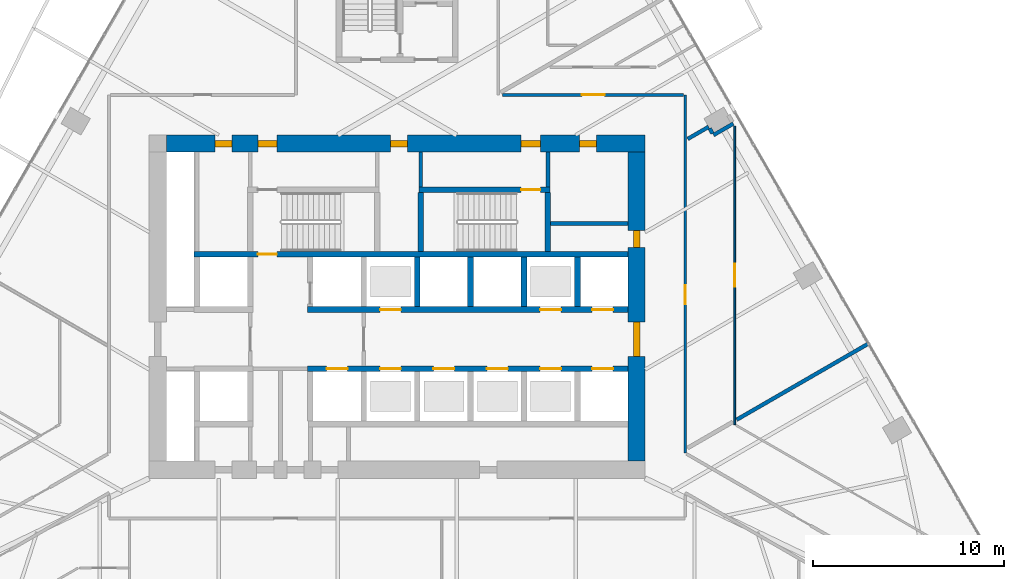
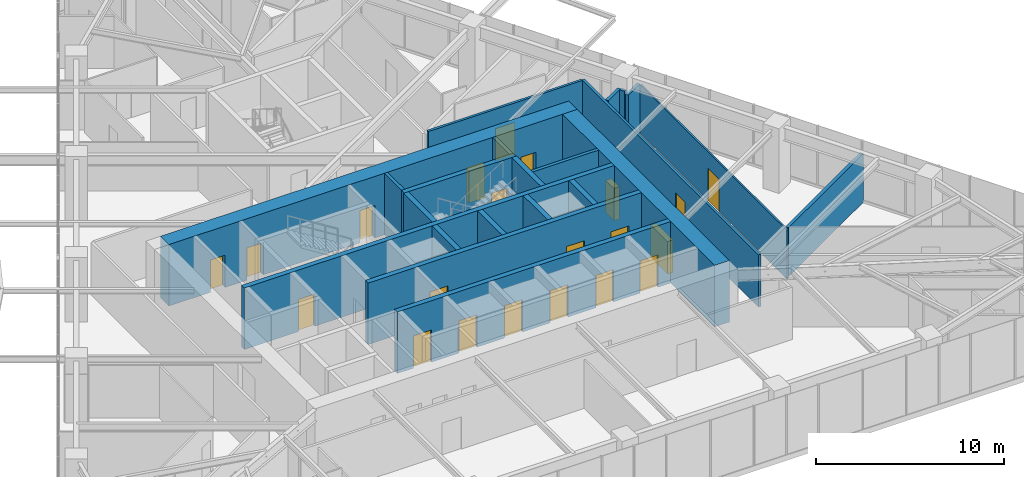
# One storey, part 18 of 22: 22 walls, 21 doors, 21 openings.
"""IFC4 building model written with IfcOpenShell, lengths in metres."""

from ifc_helpers import new_model, si_unit, direction, frame, frame_2d, origin, place, context, subcontext, project, spatial, rectangle, extrude, material, layer, layer_set, type_object, element, fill, save


model = new_model("IFC4")

# Units and contexts
model_context = context("Model", 3, precision=1e-05, world=origin(), true_north=direction((0.0, 1.0)))
body_context = subcontext(model_context, "Body", "Model", "MODEL_VIEW")
ifc_project = project(units=[si_unit("LENGTHUNIT", "METRE"), si_unit("AREAUNIT", "SQUARE_METRE"), si_unit("VOLUMEUNIT", "CUBIC_METRE"), si_unit("PLANEANGLEUNIT", "RADIAN"), si_unit("MASSUNIT", "GRAM", prefix="KILO")], contexts=[model_context])

# Site, building, storey
site_placement = place(None, origin())
site = spatial("IfcSite", under=ifc_project, at=site_placement, CompositionType="ELEMENT")
building_placement = place(site_placement, origin())
building = spatial("IfcBuilding", under=site, at=building_placement, Name="Firuza Gate Tower and Library", CompositionType="ELEMENT")
storey_placement = place(building_placement, frame((0.0, 0.0, 111.39990234375)))
storey = spatial("IfcBuildingStorey", under=building, at=storey_placement, Name="L25", CompositionType="ELEMENT", Elevation=111.39990234375)

# Walls
ifc_material_1 = material(Name="Plasterboard on steel studs", Category="steel")
ifc_layer_1 = layer(ifc_material_1, 0.199951171875)
ifc_layer_set_1 = layer_set([ifc_layer_1], Name="Core partition 200 EI 60")
wall_type_1 = type_object("IfcWallType", Name="Core partition 200 EI 60", PredefinedType="PARTITIONING", material=ifc_layer_set_1)
wall_1_placement = place(storey_placement, frame((83.050048828125, 79.35498046875, 0.0), z_axis=(0.0, 0.0, 1.0), x_axis=(1.0, 0.0, 0.0)))
element("IfcWall", 1, at=wall_1_placement, inside=storey, type_object=wall_type_1, Name="Core partition L25 4", PredefinedType="PARTITIONING", context=body_context, shape_type="SweptSolid", body=[
    extrude(rectangle(XDim=4.050048828125, YDim=0.199951171875, at=frame_2d((2.02490234375, 0.0))), origin(), (0.0, 0.0, 1.0), 4.0),
])
for number, where, z_axis, x_axis, name in (
    (2, (76.239990234375, 81.280029296875, 0.0), (0.0, 0.0, 1.0), (0.0, 1.0, 0.0), "Core partition L25 15"),
    (3, (82.89990234375, 81.280029296875, 0.0), (0.0, 0.0, 1.0), (0.0, 1.0, 0.0), "Core partition L25 16"),
):
    element("IfcWall", number, at=place(storey_placement, frame(where, z_axis=z_axis, x_axis=x_axis)), inside=storey, type_object=wall_type_1, Name=name, PredefinedType="PARTITIONING", context=body_context, shape_type="SweptSolid", body=[
        extrude(rectangle(XDim=1.820068359375, YDim=0.199951171875, at=frame_2d((0.91015625, 0.0))), origin(), (0.0, 0.0, 1.0), 4.0),
    ])

# Wall, openings, doors
ifc_material_2 = material(Name="Concrete C80/95", Category="concrete")
ifc_layer_2 = layer(ifc_material_2, 0.300048828125)
ifc_layer_set_2 = layer_set([ifc_layer_2], Name="Core wall 300 C80/95")
wall_type_2 = type_object("IfcWallType", Name="Core wall 300 C80/95", PredefinedType="SHEAR", material=ifc_layer_set_2)
wall_2_placement = place(storey_placement, frame((70.300048828125, 71.75, 0.0), z_axis=(0.0, 0.0, 1.0), x_axis=(1.0, 0.0, 0.0)))
wall_2 = element("IfcWall", 4, at=wall_2_placement, inside=storey, type_object=wall_type_2, Name="Core wall L25 8", PredefinedType="SHEAR", context=body_context, shape_type="SweptSolid", body=[
    extrude(rectangle(XDim=16.800048828125, YDim=0.300048828125, at=frame_2d((8.39990234375, 0.0))), origin(), (0.0, 0.0, 1.0), 4.0),
])
opening_1_placement = place(wall_2_placement, frame((1.0, 0.0, 0.0)))
opening_1 = element("IfcOpeningElement", 5, at=opening_1_placement, cuts=wall_2, Name="Opening LD-FF1-L25", PredefinedType="OPENING", context=body_context, shape_type="SweptSolid", body=[
    extrude(rectangle(XDim=1.10009765625, YDim=2.10009765625, at=frame_2d((0.550048828125, 1.050048828125))), frame((0.0, 0.16015625, 0.0), z_axis=(0.0, -1.0, 0.0), x_axis=(1.0, 0.0, 0.0)), (0.0, 0.0, 1.0), 0.320068359375),
])
opening_2_placement = place(wall_2_placement, frame((3.800048828125, 0.0, 0.0)))
opening_2 = element("IfcOpeningElement", 6, at=opening_2_placement, cuts=wall_2, Name="Opening LD-LR1-L25", PredefinedType="OPENING", context=body_context, shape_type="SweptSolid", body=[
    extrude(rectangle(XDim=1.10009765625, YDim=2.10009765625, at=frame_2d((0.550048828125, 1.050048828125))), frame((0.0, 0.16015625, 0.0), z_axis=(0.0, -1.0, 0.0), x_axis=(1.0, 0.0, 0.0)), (0.0, 0.0, 1.0), 0.320068359375),
])
opening_3_placement = place(wall_2_placement, frame((6.60009765625, 0.0, 0.0)))
opening_3 = element("IfcOpeningElement", 7, at=opening_3_placement, cuts=wall_2, Name="Opening LD-LR2-L25", PredefinedType="OPENING", context=body_context, shape_type="SweptSolid", body=[
    extrude(rectangle(XDim=1.10009765625, YDim=2.10009765625, at=frame_2d((0.550048828125, 1.050048828125))), frame((0.0, 0.16015625, 0.0), z_axis=(0.0, -1.0, 0.0), x_axis=(1.0, 0.0, 0.0)), (0.0, 0.0, 1.0), 0.320068359375),
])
opening_4_placement = place(wall_2_placement, frame((9.39990234375, 0.0, 0.0)))
opening_4 = element("IfcOpeningElement", 8, at=opening_4_placement, cuts=wall_2, Name="Opening LD-LR3-L25", PredefinedType="OPENING", context=body_context, shape_type="SweptSolid", body=[
    extrude(rectangle(XDim=1.10009765625, YDim=2.10009765625, at=frame_2d((0.550048828125, 1.050048828125))), frame((0.0, 0.16015625, 0.0), z_axis=(0.0, -1.0, 0.0), x_axis=(1.0, 0.0, 0.0)), (0.0, 0.0, 1.0), 0.320068359375),
])
opening_5_placement = place(wall_2_placement, frame((12.199951171875, 0.0, 0.0)))
opening_5 = element("IfcOpeningElement", 9, at=opening_5_placement, cuts=wall_2, Name="Opening LD-LR5-L25", PredefinedType="OPENING", context=body_context, shape_type="SweptSolid", body=[
    extrude(rectangle(XDim=1.10009765625, YDim=2.10009765625, at=frame_2d((0.550048828125, 1.050048828125))), frame((0.0, 0.16015625, 0.0), z_axis=(0.0, -1.0, 0.0), x_axis=(1.0, 0.0, 0.0)), (0.0, 0.0, 1.0), 0.320068359375),
])
opening_6_placement = place(wall_2_placement, frame((14.925048828125, 0.0, 0.0)))
opening_6 = element("IfcOpeningElement", 10, at=opening_6_placement, cuts=wall_2, Name="Opening LD-LR7-L25", PredefinedType="OPENING", context=body_context, shape_type="SweptSolid", body=[
    extrude(rectangle(XDim=1.10009765625, YDim=2.10009765625, at=frame_2d((0.550048828125, 1.050048828125))), frame((0.0, 0.16015625, 0.0), z_axis=(0.0, -1.0, 0.0), x_axis=(1.0, 0.0, 0.0)), (0.0, 0.0, 1.0), 0.320068359375),
])
ifc_material_3 = material(Name="Stainless steel", Category="steel")
door_type_1 = type_object("IfcDoorType", Name="Lift landing door 1100x2100", OperationType="DOUBLE_DOOR_SLIDING", PredefinedType="DOOR", material=ifc_material_3)
door_1_placement = place(opening_1_placement, origin())
door_1 = element("IfcDoor", 11, at=door_1_placement, inside=storey, type_object=door_type_1, Name="Landing door FF1 L25", OperationType="DOUBLE_DOOR_SLIDING", OverallHeight=2.10009765625, OverallWidth=1.10009765625, PredefinedType="DOOR", context=body_context, shape_type="SweptSolid", body=[
    extrude(rectangle(XDim=1.10009765625, YDim=2.10009765625, at=frame_2d((0.550048828125, 1.050048828125))), frame((0.0, 0.02490234375, 0.0), z_axis=(0.0, -1.0, 0.0), x_axis=(1.0, 0.0, 0.0)), (0.0, 0.0, 1.0), 0.050048828125),
])
fill(opening_1, door_1)
door_2_placement = place(opening_2_placement, origin())
door_2 = element("IfcDoor", 12, at=door_2_placement, inside=storey, type_object=door_type_1, Name="Landing door LR1 L25", OperationType="DOUBLE_DOOR_SLIDING", OverallHeight=2.10009765625, OverallWidth=1.10009765625, PredefinedType="DOOR", context=body_context, shape_type="SweptSolid", body=[
    extrude(rectangle(XDim=1.10009765625, YDim=2.10009765625, at=frame_2d((0.550048828125, 1.050048828125))), frame((0.0, 0.02490234375, 0.0), z_axis=(0.0, -1.0, 0.0), x_axis=(1.0, 0.0, 0.0)), (0.0, 0.0, 1.0), 0.050048828125),
])
fill(opening_2, door_2)
door_3_placement = place(opening_3_placement, origin())
door_3 = element("IfcDoor", 13, at=door_3_placement, inside=storey, type_object=door_type_1, Name="Landing door LR2 L25", OperationType="DOUBLE_DOOR_SLIDING", OverallHeight=2.10009765625, OverallWidth=1.10009765625, PredefinedType="DOOR", context=body_context, shape_type="SweptSolid", body=[
    extrude(rectangle(XDim=1.10009765625, YDim=2.10009765625, at=frame_2d((0.550048828125, 1.050048828125))), frame((0.0, 0.02490234375, 0.0), z_axis=(0.0, -1.0, 0.0), x_axis=(1.0, 0.0, 0.0)), (0.0, 0.0, 1.0), 0.050048828125),
])
fill(opening_3, door_3)
door_4_placement = place(opening_4_placement, origin())
door_4 = element("IfcDoor", 14, at=door_4_placement, inside=storey, type_object=door_type_1, Name="Landing door LR3 L25", OperationType="DOUBLE_DOOR_SLIDING", OverallHeight=2.10009765625, OverallWidth=1.10009765625, PredefinedType="DOOR", context=body_context, shape_type="SweptSolid", body=[
    extrude(rectangle(XDim=1.10009765625, YDim=2.10009765625, at=frame_2d((0.550048828125, 1.050048828125))), frame((0.0, 0.02490234375, 0.0), z_axis=(0.0, -1.0, 0.0), x_axis=(1.0, 0.0, 0.0)), (0.0, 0.0, 1.0), 0.050048828125),
])
fill(opening_4, door_4)
door_5_placement = place(opening_5_placement, origin())
door_5 = element("IfcDoor", 15, at=door_5_placement, inside=storey, type_object=door_type_1, Name="Landing door LR5 L25", OperationType="DOUBLE_DOOR_SLIDING", OverallHeight=2.10009765625, OverallWidth=1.10009765625, PredefinedType="DOOR", context=body_context, shape_type="SweptSolid", body=[
    extrude(rectangle(XDim=1.10009765625, YDim=2.10009765625, at=frame_2d((0.550048828125, 1.050048828125))), frame((0.0, 0.02490234375, 0.0), z_axis=(0.0, -1.0, 0.0), x_axis=(1.0, 0.0, 0.0)), (0.0, 0.0, 1.0), 0.050048828125),
])
fill(opening_5, door_5)
door_6_placement = place(opening_6_placement, origin())
door_6 = element("IfcDoor", 16, at=door_6_placement, inside=storey, type_object=door_type_1, Name="Landing door LR7 L25", OperationType="DOUBLE_DOOR_SLIDING", OverallHeight=2.10009765625, OverallWidth=1.10009765625, PredefinedType="DOOR", context=body_context, shape_type="SweptSolid", body=[
    extrude(rectangle(XDim=1.10009765625, YDim=2.10009765625, at=frame_2d((0.550048828125, 1.050048828125))), frame((0.0, 0.02490234375, 0.0), z_axis=(0.0, -1.0, 0.0), x_axis=(1.0, 0.0, 0.0)), (0.0, 0.0, 1.0), 0.050048828125),
])
fill(opening_6, door_6)

wall_3_placement = place(storey_placement, frame((70.300048828125, 74.85009765625, 0.0), z_axis=(0.0, 0.0, 1.0), x_axis=(1.0, 0.0, 0.0)))
wall_3 = element("IfcWall", 17, at=wall_3_placement, inside=storey, type_object=wall_type_2, Name="Core wall L25 10", PredefinedType="SHEAR", context=body_context, shape_type="SweptSolid", body=[
    extrude(rectangle(XDim=16.800048828125, YDim=0.300048828125, at=frame_2d((8.39990234375, 0.0))), origin(), (0.0, 0.0, 1.0), 4.0),
])
opening_7_placement = place(wall_3_placement, frame((3.800048828125, 0.0, 0.0)))
opening_7 = element("IfcOpeningElement", 18, at=opening_7_placement, cuts=wall_3, Name="Opening LD-LR4-L25", PredefinedType="OPENING", context=body_context, shape_type="SweptSolid", body=[
    extrude(rectangle(XDim=1.10009765625, YDim=2.10009765625, at=frame_2d((0.550048828125, 1.050048828125))), frame((0.0, 0.16015625, 0.0), z_axis=(0.0, -1.0, 0.0), x_axis=(1.0, 0.0, 0.0)), (0.0, 0.0, 1.0), 0.320068359375),
])
opening_8_placement = place(wall_3_placement, frame((12.199951171875, 0.0, 0.0)))
opening_8 = element("IfcOpeningElement", 19, at=opening_8_placement, cuts=wall_3, Name="Opening LD-LR6-L25", PredefinedType="OPENING", context=body_context, shape_type="SweptSolid", body=[
    extrude(rectangle(XDim=1.10009765625, YDim=2.10009765625, at=frame_2d((0.550048828125, 1.050048828125))), frame((0.0, 0.16015625, 0.0), z_axis=(0.0, -1.0, 0.0), x_axis=(1.0, 0.0, 0.0)), (0.0, 0.0, 1.0), 0.320068359375),
])
opening_9_placement = place(wall_3_placement, frame((14.925048828125, 0.0, 0.0)))
opening_9 = element("IfcOpeningElement", 20, at=opening_9_placement, cuts=wall_3, Name="Opening LD-LR8-L25", PredefinedType="OPENING", context=body_context, shape_type="SweptSolid", body=[
    extrude(rectangle(XDim=1.10009765625, YDim=2.10009765625, at=frame_2d((0.550048828125, 1.050048828125))), frame((0.0, 0.16015625, 0.0), z_axis=(0.0, -1.0, 0.0), x_axis=(1.0, 0.0, 0.0)), (0.0, 0.0, 1.0), 0.320068359375),
])
door_7_placement = place(opening_7_placement, origin())
door_7 = element("IfcDoor", 21, at=door_7_placement, inside=storey, type_object=door_type_1, Name="Landing door LR4 L25", OperationType="DOUBLE_DOOR_SLIDING", OverallHeight=2.10009765625, OverallWidth=1.10009765625, PredefinedType="DOOR", context=body_context, shape_type="SweptSolid", body=[
    extrude(rectangle(XDim=1.10009765625, YDim=2.10009765625, at=frame_2d((0.550048828125, 1.050048828125))), frame((0.0, 0.02490234375, 0.0), z_axis=(0.0, -1.0, 0.0), x_axis=(1.0, 0.0, 0.0)), (0.0, 0.0, 1.0), 0.050048828125),
])
fill(opening_7, door_7)
door_8_placement = place(opening_8_placement, origin())
door_8 = element("IfcDoor", 22, at=door_8_placement, inside=storey, type_object=door_type_1, Name="Landing door LR6 L25", OperationType="DOUBLE_DOOR_SLIDING", OverallHeight=2.10009765625, OverallWidth=1.10009765625, PredefinedType="DOOR", context=body_context, shape_type="SweptSolid", body=[
    extrude(rectangle(XDim=1.10009765625, YDim=2.10009765625, at=frame_2d((0.550048828125, 1.050048828125))), frame((0.0, 0.02490234375, 0.0), z_axis=(0.0, -1.0, 0.0), x_axis=(1.0, 0.0, 0.0)), (0.0, 0.0, 1.0), 0.050048828125),
])
fill(opening_8, door_8)
door_9_placement = place(opening_9_placement, origin())
door_9 = element("IfcDoor", 23, at=door_9_placement, inside=storey, type_object=door_type_1, Name="Landing door LR8 L25", OperationType="DOUBLE_DOOR_SLIDING", OverallHeight=2.10009765625, OverallWidth=1.10009765625, PredefinedType="DOOR", context=body_context, shape_type="SweptSolid", body=[
    extrude(rectangle(XDim=1.10009765625, YDim=2.10009765625, at=frame_2d((0.550048828125, 1.050048828125))), frame((0.0, 0.02490234375, 0.0), z_axis=(0.0, -1.0, 0.0), x_axis=(1.0, 0.0, 0.0)), (0.0, 0.0, 1.0), 0.050048828125),
])
fill(opening_9, door_9)

# Walls
for number, where, z_axis, x_axis, name in (
    (24, (76.050048828125, 75.0, 0.0), (0.0, 0.0, 1.0), (0.0, 1.0, 0.0), "Core wall L25 20"),
    (25, (78.85009765625, 75.0, 0.0), (0.0, 0.0, 1.0), (0.0, 1.0, 0.0), "Core wall L25 22"),
    (26, (81.64990234375, 75.0, 0.0), (0.0, 0.0, 1.0), (0.0, 1.0, 0.0), "Core wall L25 24"),
    (27, (84.449951171875, 75.0, 0.0), (0.0, 0.0, 1.0), (0.0, 1.0, 0.0), "Core wall L25 26"),
):
    element("IfcWall", number, at=place(storey_placement, frame(where, z_axis=z_axis, x_axis=x_axis)), inside=storey, type_object=wall_type_2, Name=name, PredefinedType="SHEAR", context=body_context, shape_type="SweptSolid", body=[
        extrude(rectangle(XDim=2.60009765625, YDim=0.300048828125, at=frame_2d((1.300048828125, 0.0))), origin(), (0.0, 0.0, 1.0), 4.0),
    ])

# Wall, opening, door
wall_4_placement = place(storey_placement, frame((64.35009765625, 77.75, 0.0), z_axis=(0.0, 0.0, 1.0), x_axis=(1.0, 0.0, 0.0)))
wall_4 = element("IfcWall", 28, at=wall_4_placement, inside=storey, type_object=wall_type_2, Name="Core wall L25 27", PredefinedType="SHEAR", context=body_context, shape_type="SweptSolid", body=[
    extrude(rectangle(XDim=22.75, YDim=0.300048828125, at=frame_2d((11.375, 0.0))), origin(), (0.0, 0.0, 1.0), 4.0),
])
opening_10_placement = place(wall_4_placement, frame((3.344970703125, 0.0, 0.0)))
opening_10 = element("IfcOpeningElement", 29, at=opening_10_placement, cuts=wall_4, Name="Opening L25-K12", PredefinedType="OPENING", context=body_context, shape_type="SweptSolid", body=[
    extrude(rectangle(XDim=1.0, YDim=2.10009765625, at=frame_2d((0.5, 1.050048828125))), frame((0.0, 0.16015625, 0.0), z_axis=(0.0, -1.0, 0.0), x_axis=(1.0, 0.0, 0.0)), (0.0, 0.0, 1.0), 0.320068359375),
])
ifc_material_4 = material(Name="Steel", Category="steel")
door_type_2 = type_object("IfcDoorType", Name="Fire door 1000x2100 FD90", OperationType="NOTDEFINED", PredefinedType="DOOR", material=ifc_material_4)
door_10_placement = place(opening_10_placement, origin())
door_10 = element("IfcDoor", 30, at=door_10_placement, inside=storey, type_object=door_type_2, Name="Door L25-K12", OperationType="SINGLE_SWING_LEFT", OverallHeight=2.10009765625, OverallWidth=1.0, PredefinedType="DOOR", context=body_context, shape_type="SweptSolid", body=[
    extrude(rectangle(XDim=1.0, YDim=2.10009765625, at=frame_2d((0.5, 1.050048828125))), frame((0.0, 0.02490234375, 0.0), z_axis=(0.0, -1.0, 0.0), x_axis=(1.0, 0.0, 0.0)), (0.0, 0.0, 1.0), 0.050048828125),
])
fill(opening_10, door_10)

wall_5_placement = place(storey_placement, frame((76.139892578125, 81.1298828125, 0.0), z_axis=(0.0, 0.0, 1.0), x_axis=(1.0, 0.0, 0.0)))
wall_5 = element("IfcWall", 31, at=wall_5_placement, inside=storey, type_object=wall_type_2, Name="Core wall L25 29", PredefinedType="SHEAR", context=body_context, shape_type="SweptSolid", body=[
    extrude(rectangle(XDim=6.860107421875, YDim=0.300048828125, at=frame_2d((3.43017578125, 0.0))), origin(), (0.0, 0.0, 1.0), 4.0),
])
opening_11_placement = place(wall_5_placement, frame((5.364990234375, 0.0, 0.0)))
opening_11 = element("IfcOpeningElement", 32, at=opening_11_placement, cuts=wall_5, Name="Opening L25-K15", PredefinedType="OPENING", context=body_context, shape_type="SweptSolid", body=[
    extrude(rectangle(XDim=1.0, YDim=2.10009765625, at=frame_2d((0.5, 1.050048828125))), frame((0.0, 0.16015625, 0.0), z_axis=(0.0, -1.0, 0.0), x_axis=(1.0, 0.0, 0.0)), (0.0, 0.0, 1.0), 0.320068359375),
])
door_11_placement = place(opening_11_placement, origin())
door_11 = element("IfcDoor", 33, at=door_11_placement, inside=storey, type_object=door_type_2, Name="Door L25-K15", OperationType="SINGLE_SWING_RIGHT", OverallHeight=2.10009765625, OverallWidth=1.0, PredefinedType="DOOR", context=body_context, shape_type="SweptSolid", body=[
    extrude(rectangle(XDim=1.0, YDim=2.10009765625, at=frame_2d((0.5, 1.050048828125))), frame((0.0, 0.02490234375, 0.0), z_axis=(0.0, -1.0, 0.0), x_axis=(1.0, 0.0, 0.0)), (0.0, 0.0, 1.0), 0.050048828125),
])
fill(opening_11, door_11)

# Walls
for number, where, z_axis, x_axis, name in (
    (34, (76.239990234375, 77.89990234375, 0.0), (0.0, 0.0, 1.0), (0.0, 1.0, 0.0), "Core wall L25 32"),
    (35, (82.89990234375, 77.89990234375, 0.0), (0.0, 0.0, 1.0), (0.0, 1.0, 0.0), "Core wall L25 33"),
):
    element("IfcWall", number, at=place(storey_placement, frame(where, z_axis=z_axis, x_axis=x_axis)), inside=storey, type_object=wall_type_2, Name=name, PredefinedType="SHEAR", context=body_context, shape_type="SweptSolid", body=[
        extrude(rectangle(XDim=3.080078125, YDim=0.300048828125, at=frame_2d((1.5400390625, 0.0))), origin(), (0.0, 0.0, 1.0), 4.0),
    ])

# Wall, openings, doors
ifc_material_5 = material(Name="Concrete C80/95", Category="concrete")
ifc_layer_3 = layer(ifc_material_5, 0.89990234375)
ifc_layer_set_3 = layer_set([ifc_layer_3], Name="Core wall 900 C80/95")
wall_type_3 = type_object("IfcWallType", Name="Core wall 900 C80/95", PredefinedType="SHEAR", material=ifc_layer_set_3)
wall_6_placement = place(storey_placement, frame((62.89990234375, 83.550048828125, 0.0), z_axis=(0.0, 0.0, 1.0), x_axis=(1.0, 0.0, 0.0)))
wall_6 = element("IfcWall", 36, at=wall_6_placement, inside=storey, type_object=wall_type_3, Name="Core wall L25 2", PredefinedType="SHEAR", context=body_context, shape_type="SweptSolid", body=[
    extrude(rectangle(XDim=25.10009765625, YDim=0.89990234375, at=frame_2d((12.550048828125, 0.0))), origin(), (0.0, 0.0, 1.0), 4.0),
])
opening_12_placement = place(wall_6_placement, frame((4.794921875, 0.0, 0.0)))
opening_12 = element("IfcOpeningElement", 37, at=opening_12_placement, cuts=wall_6, Name="Opening L25-K14", PredefinedType="OPENING", context=body_context, shape_type="SweptSolid", body=[
    extrude(rectangle(XDim=1.0, YDim=2.10009765625, at=frame_2d((0.5, 1.050048828125))), frame((0.0, 0.4599609375, 0.0), z_axis=(0.0, -1.0, 0.0), x_axis=(1.0, 0.0, 0.0)), (0.0, 0.0, 1.0), 0.919921875),
])
opening_13_placement = place(wall_6_placement, frame((18.60498046875, 0.0, 0.0)))
opening_13 = element("IfcOpeningElement", 38, at=opening_13_placement, cuts=wall_6, Name="Opening L25-K16", PredefinedType="OPENING", context=body_context, shape_type="SweptSolid", body=[
    extrude(rectangle(XDim=1.0, YDim=2.10009765625, at=frame_2d((0.5, 1.050048828125))), frame((0.0, 0.4599609375, 0.0), z_axis=(0.0, -1.0, 0.0), x_axis=(1.0, 0.0, 0.0)), (0.0, 0.0, 1.0), 0.919921875),
])
opening_14_placement = place(wall_6_placement, frame((2.550048828125, 0.0, 0.0)))
opening_14 = element("IfcOpeningElement", 39, at=opening_14_placement, cuts=wall_6, Name="Opening L25-K29", PredefinedType="OPENING", context=body_context, shape_type="SweptSolid", body=[
    extrude(rectangle(XDim=0.89990234375, YDim=2.10009765625, at=frame_2d((0.449951171875, 1.050048828125))), frame((0.0, 0.4599609375, 0.0), z_axis=(0.0, -1.0, 0.0), x_axis=(1.0, 0.0, 0.0)), (0.0, 0.0, 1.0), 0.919921875),
])
opening_15_placement = place(wall_6_placement, frame((11.75, 0.0, 0.0)))
opening_15 = element("IfcOpeningElement", 40, at=opening_15_placement, cuts=wall_6, Name="Opening L25-K30", PredefinedType="OPENING", context=body_context, shape_type="SweptSolid", body=[
    extrude(rectangle(XDim=0.89990234375, YDim=2.10009765625, at=frame_2d((0.449951171875, 1.050048828125))), frame((0.0, 0.4599609375, 0.0), z_axis=(0.0, -1.0, 0.0), x_axis=(1.0, 0.0, 0.0)), (0.0, 0.0, 1.0), 0.919921875),
])
opening_16_placement = place(wall_6_placement, frame((21.64990234375, 0.0, 0.0)))
opening_16 = element("IfcOpeningElement", 41, at=opening_16_placement, cuts=wall_6, Name="Opening L25-K32", PredefinedType="OPENING", context=body_context, shape_type="SweptSolid", body=[
    extrude(rectangle(XDim=0.89990234375, YDim=2.10009765625, at=frame_2d((0.449951171875, 1.050048828125))), frame((0.0, 0.4599609375, 0.0), z_axis=(0.0, -1.0, 0.0), x_axis=(1.0, 0.0, 0.0)), (0.0, 0.0, 1.0), 0.919921875),
])
door_12_placement = place(opening_12_placement, origin())
door_12 = element("IfcDoor", 42, at=door_12_placement, inside=storey, type_object=door_type_2, Name="Door L25-K14", OperationType="SINGLE_SWING_LEFT", OverallHeight=2.10009765625, OverallWidth=1.0, PredefinedType="DOOR", context=body_context, shape_type="SweptSolid", body=[
    extrude(rectangle(XDim=1.0, YDim=2.10009765625, at=frame_2d((0.5, 1.050048828125))), frame((0.0, 0.169921875, 0.0), z_axis=(0.0, -1.0, 0.0), x_axis=(1.0, 0.0, 0.0)), (0.0, 0.0, 1.0), 0.33984375),
])
fill(opening_12, door_12)
door_13_placement = place(opening_13_placement, origin())
door_13 = element("IfcDoor", 43, at=door_13_placement, inside=storey, type_object=door_type_2, Name="Door L25-K16", OperationType="SINGLE_SWING_LEFT", OverallHeight=2.10009765625, OverallWidth=1.0, PredefinedType="DOOR", context=body_context, shape_type="SweptSolid", body=[
    extrude(rectangle(XDim=1.0, YDim=2.10009765625, at=frame_2d((0.5, 1.050048828125))), frame((0.0, 0.169921875, 0.0), z_axis=(0.0, -1.0, 0.0), x_axis=(1.0, 0.0, 0.0)), (0.0, 0.0, 1.0), 0.33984375),
])
fill(opening_13, door_13)
ifc_material_6 = material(Name="Steel", Category="steel")
door_type_3 = type_object("IfcDoorType", Name="Fire door 900x2100 FD30S", OperationType="NOTDEFINED", PredefinedType="DOOR", material=ifc_material_6)
door_14_placement = place(opening_14_placement, origin())
door_14 = element("IfcDoor", 44, at=door_14_placement, inside=storey, type_object=door_type_3, Name="Door L25-K29", OperationType="SINGLE_SWING_RIGHT", OverallHeight=2.10009765625, OverallWidth=0.89990234375, PredefinedType="DOOR", context=body_context, shape_type="SweptSolid", body=[
    extrude(rectangle(XDim=0.89990234375, YDim=2.10009765625, at=frame_2d((0.449951171875, 1.050048828125))), frame((0.0, 0.169921875, 0.0), z_axis=(0.0, -1.0, 0.0), x_axis=(1.0, 0.0, 0.0)), (0.0, 0.0, 1.0), 0.33984375),
])
fill(opening_14, door_14)
door_15_placement = place(opening_15_placement, origin())
door_15 = element("IfcDoor", 45, at=door_15_placement, inside=storey, type_object=door_type_3, Name="Door L25-K30", OperationType="SINGLE_SWING_LEFT", OverallHeight=2.10009765625, OverallWidth=0.89990234375, PredefinedType="DOOR", context=body_context, shape_type="SweptSolid", body=[
    extrude(rectangle(XDim=0.89990234375, YDim=2.10009765625, at=frame_2d((0.449951171875, 1.050048828125))), frame((0.0, 0.169921875, 0.0), z_axis=(0.0, -1.0, 0.0), x_axis=(1.0, 0.0, 0.0)), (0.0, 0.0, 1.0), 0.33984375),
])
fill(opening_15, door_15)
door_16_placement = place(opening_16_placement, origin())
door_16 = element("IfcDoor", 46, at=door_16_placement, inside=storey, type_object=door_type_3, Name="Door L25-K32", OperationType="SINGLE_SWING_LEFT", OverallHeight=2.10009765625, OverallWidth=0.89990234375, PredefinedType="DOOR", context=body_context, shape_type="SweptSolid", body=[
    extrude(rectangle(XDim=0.89990234375, YDim=2.10009765625, at=frame_2d((0.449951171875, 1.050048828125))), frame((0.0, 0.169921875, 0.0), z_axis=(0.0, -1.0, 0.0), x_axis=(1.0, 0.0, 0.0)), (0.0, 0.0, 1.0), 0.33984375),
])
fill(opening_16, door_16)

wall_7_placement = place(storey_placement, frame((87.550048828125, 66.89990234375, 0.0), z_axis=(0.0, 0.0, 1.0), x_axis=(0.0, 1.0, 0.0)))
wall_7 = element("IfcWall", 47, at=wall_7_placement, inside=storey, type_object=wall_type_3, Name="Core wall L25 4", PredefinedType="SHEAR", context=body_context, shape_type="SweptSolid", body=[
    extrude(rectangle(XDim=16.2001953125, YDim=0.89990234375, at=frame_2d((8.10009765625, 0.0))), origin(), (0.0, 0.0, 1.0), 4.0),
])
opening_17_placement = place(wall_7_placement, frame((5.5, 0.0, 0.0)))
opening_17 = element("IfcOpeningElement", 48, at=opening_17_placement, cuts=wall_7, Name="Opening L25-K23", PredefinedType="OPENING", context=body_context, shape_type="SweptSolid", body=[
    extrude(rectangle(XDim=1.800048828125, YDim=2.10009765625, at=frame_2d((0.89990234375, 1.050048828125))), frame((0.0, 0.4599609375, 0.0), z_axis=(0.0, -1.0, 0.0), x_axis=(1.0, 0.0, 0.0)), (0.0, 0.0, 1.0), 0.919921875),
])
opening_18_placement = place(wall_7_placement, frame((11.202392578125, 0.0, 0.0)))
opening_18 = element("IfcOpeningElement", 49, at=opening_18_placement, cuts=wall_7, Name="Opening L25-K31", PredefinedType="OPENING", context=body_context, shape_type="SweptSolid", body=[
    extrude(rectangle(XDim=0.89990234375, YDim=2.10009765625, at=frame_2d((0.449951171875, 1.050048828125))), frame((0.0, 0.4599609375, 0.0), z_axis=(0.0, -1.0, 0.0), x_axis=(1.0, 0.0, 0.0)), (0.0, 0.0, 1.0), 0.919921875),
])
ifc_material_7 = material(Name="Steel", Category="steel")
door_type_4 = type_object("IfcDoorType", Name="Fire door 1800x2100 FD30S", OperationType="NOTDEFINED", PredefinedType="DOOR", material=ifc_material_7)
door_17_placement = place(opening_17_placement, origin())
door_17 = element("IfcDoor", 50, at=door_17_placement, inside=storey, type_object=door_type_4, Name="Door L25-K23", OperationType="SINGLE_SWING_RIGHT", OverallHeight=2.10009765625, OverallWidth=1.800048828125, PredefinedType="DOOR", context=body_context, shape_type="SweptSolid", body=[
    extrude(rectangle(XDim=1.800048828125, YDim=2.10009765625, at=frame_2d((0.89990234375, 1.050048828125))), frame((0.0, 0.169921875, 0.0), z_axis=(0.0, -1.0, 0.0), x_axis=(1.0, 0.0, 0.0)), (0.0, 0.0, 1.0), 0.33984375),
])
fill(opening_17, door_17)
door_18_placement = place(opening_18_placement, origin())
door_18 = element("IfcDoor", 51, at=door_18_placement, inside=storey, type_object=door_type_3, Name="Door L25-K31", OperationType="SINGLE_SWING_RIGHT", OverallHeight=2.10009765625, OverallWidth=0.89990234375, PredefinedType="DOOR", context=body_context, shape_type="SweptSolid", body=[
    extrude(rectangle(XDim=0.89990234375, YDim=2.10009765625, at=frame_2d((0.449951171875, 1.050048828125))), frame((0.0, 0.169921875, 0.0), z_axis=(0.0, -1.0, 0.0), x_axis=(1.0, 0.0, 0.0)), (0.0, 0.0, 1.0), 0.33984375),
])
fill(opening_18, door_18)

# Wall, opening, door
ifc_material_8 = material(Name="Gypsum board partition")
ifc_layer_4 = layer(ifc_material_8, 0.14990234375)
ifc_layer_set_4 = layer_set([ifc_layer_4], Name="Corridor wall 150 double board on steel studs")
wall_type_4 = type_object("IfcWallType", Name="Corridor wall 150 double board on steel studs", PredefinedType="PARTITIONING", material=ifc_layer_set_4)
wall_8_placement = place(storey_placement, frame((80.530029296875, 86.10009765625, 0.0), z_axis=(0.0, 0.0, 1.0), x_axis=(1.0, 0.0, 0.0)))
wall_8 = element("IfcWall", 52, at=wall_8_placement, inside=storey, type_object=wall_type_4, Name="f:L25:w003", PredefinedType="PARTITIONING", context=body_context, shape_type="SweptSolid", body=[
    extrude(rectangle(XDim=9.494384765625, YDim=0.14990234375, at=frame_2d((4.7470703125, 0.0))), origin(), (0.0, 0.0, 1.0), 3.400146484375),
])
opening_19_placement = place(wall_8_placement, frame((4.147216796875, 0.0, 0.0)))
opening_19 = element("IfcOpeningElement", 53, at=opening_19_placement, cuts=wall_8, Name="Opening L25-05", PredefinedType="OPENING", context=body_context, shape_type="SweptSolid", body=[
    extrude(rectangle(XDim=1.199951171875, YDim=2.10009765625, at=frame_2d((0.60009765625, 1.050048828125))), frame((0.0, 0.0849609375, 0.0), z_axis=(0.0, -1.0, 0.0), x_axis=(1.0, 0.0, 0.0)), (0.0, 0.0, 1.0), 0.169921875),
])
ifc_material_9 = material(Name="Steel door and timber leaf", Category="steel")
door_type_5 = type_object("IfcDoorType", Name="Fire door 1200 x 2100 steel frame, double leaf", OperationType="NOTDEFINED", PredefinedType="DOOR", material=ifc_material_9)
door_19_placement = place(opening_19_placement, origin())
door_19 = element("IfcDoor", 54, at=door_19_placement, inside=storey, type_object=door_type_5, Name="f:L25:d005", OperationType="DOUBLE_DOOR_SINGLE_SWING", OverallHeight=2.10009765625, OverallWidth=1.199951171875, PredefinedType="DOOR", context=body_context, shape_type="SweptSolid", body=[
    extrude(rectangle(XDim=1.199951171875, YDim=2.10009765625, at=frame_2d((0.60009765625, 1.050048828125))), frame((0.0, 0.02490234375, 0.0), z_axis=(0.0, -1.0, 0.0), x_axis=(1.0, 0.0, 0.0)), (0.0, 0.0, 1.0), 0.050048828125),
])
fill(opening_19, door_19)

wall_9_placement = place(storey_placement, frame((90.10009765625, 86.099609375, 0.0), z_axis=(0.0, 0.0, 1.0), x_axis=(0.0, -1.0, 0.0)))
wall_9 = element("IfcWall", 55, at=wall_9_placement, inside=storey, type_object=wall_type_4, Name="f:L25:w033", PredefinedType="PARTITIONING", context=body_context, shape_type="SweptSolid", body=[
    extrude(rectangle(XDim=18.7783203125, YDim=0.14990234375, at=frame_2d((9.38916015625, 0.0))), origin(), (0.0, 0.0, 1.0), 3.400146484375),
])
opening_20_placement = place(wall_9_placement, frame((9.97802734375, 0.0, 0.0)))
opening_20 = element("IfcOpeningElement", 56, at=opening_20_placement, cuts=wall_9, Name="Opening L25-17", PredefinedType="OPENING", context=body_context, shape_type="SweptSolid", body=[
    extrude(rectangle(XDim=1.0, YDim=2.10009765625, at=frame_2d((0.5, 1.050048828125))), frame((0.0, 0.0849609375, 0.0), z_axis=(0.0, -1.0, 0.0), x_axis=(1.0, 0.0, 0.0)), (0.0, 0.0, 1.0), 0.169921875),
])
ifc_material_10 = material(Name="Steel door and timber leaf", Category="steel")
door_type_6 = type_object("IfcDoorType", Name="Fire door 1000 x 2100 steel frame, timber leaf", OperationType="NOTDEFINED", PredefinedType="DOOR", material=ifc_material_10)
door_20_placement = place(opening_20_placement, origin())
door_20 = element("IfcDoor", 57, at=door_20_placement, inside=storey, type_object=door_type_6, Name="f:L25:d017", OperationType="SINGLE_SWING_LEFT", OverallHeight=2.10009765625, OverallWidth=1.0, PredefinedType="DOOR", context=body_context, shape_type="SweptSolid", body=[
    extrude(rectangle(XDim=1.0, YDim=2.10009765625, at=frame_2d((0.5, 1.050048828125))), frame((0.0, 0.02490234375, 0.0), z_axis=(0.0, -1.0, 0.0), x_axis=(1.0, 0.0, 0.0)), (0.0, 0.0, 1.0), 0.050048828125),
])
fill(opening_20, door_20)

# Walls
ifc_material_11 = material(Name="Gypsum board partition")
ifc_layer_5 = layer(ifc_material_11, 0.199951171875)
ifc_layer_set_5 = layer_set([ifc_layer_5], Name="Demising wall 200 acoustic double stud")
wall_type_5 = type_object("IfcWallType", Name="Demising wall 200 acoustic double stud", PredefinedType="PARTITIONING", material=ifc_layer_set_5)
wall_10_placement = place(storey_placement, frame((91.582763671875, 83.996826171875, 0.0), z_axis=(0.0, 0.0, 1.0), x_axis=(0.866066905393, 0.499928110214, 0.0)))
element("IfcWall", 58, at=wall_10_placement, inside=storey, type_object=wall_type_5, Name="f:L25:w015", PredefinedType="PARTITIONING", context=body_context, shape_type="SweptSolid", body=[
    extrude(rectangle(XDim=1.198974609375, YDim=0.199951171875, at=frame_2d((0.599609375, 0.0))), origin(), (0.0, 0.0, 1.0), 3.1650390625),
])
wall_11_placement = place(storey_placement, frame((90.22705078125, 83.79150390625, 0.0), z_axis=(0.0, 0.0, 1.0), x_axis=(0.866067665301, 0.499926793761, 0.0)))
element("IfcWall", 59, at=wall_11_placement, inside=storey, type_object=wall_type_5, Name="f:L25:w016", PredefinedType="PARTITIONING", context=body_context, shape_type="SweptSolid", body=[
    extrude(rectangle(XDim=1.275634765625, YDim=0.199951171875, at=frame_2d((0.6376953125, 0.0))), origin(), (0.0, 0.0, 1.0), 3.400146484375),
])
wall_12_placement = place(storey_placement, frame((91.5322265625, 84.08349609375, 0.0), z_axis=(0.0, 0.0, 1.0), x_axis=(-0.49965177357, 0.866226359082, 0.0)))
element("IfcWall", 60, at=wall_12_placement, inside=storey, type_object=wall_type_5, Name="f:L25:w051", PredefinedType="PARTITIONING", context=body_context, shape_type="SweptSolid", body=[
    extrude(rectangle(XDim=0.299072265625, YDim=0.199951171875, at=frame_2d((0.1494140625, 0.0))), origin(), (0.0, 0.0, 1.0), 3.400146484375),
])
wall_13_placement = place(storey_placement, frame((92.800048828125, 69.075439453125, 0.0), z_axis=(0.0, 0.0, 1.0), x_axis=(0.866027879581, 0.49999571177, 0.0)))
element("IfcWall", 61, at=wall_13_placement, inside=storey, type_object=wall_type_5, Name="f:L25:w070", PredefinedType="PARTITIONING", context=body_context, shape_type="SweptSolid", body=[
    extrude(rectangle(XDim=7.9658203125, YDim=0.199951171875, at=frame_2d((3.98291015625, 0.0))), origin(), (0.0, 0.0, 1.0), 3.1650390625),
])

# Wall, opening, door
ifc_material_12 = material(Name="Gypsum board partition")
ifc_layer_6 = layer(ifc_material_12, 0.10009765625)
ifc_layer_set_6 = layer_set([ifc_layer_6], Name="Partition 100 gypsum board on steel studs")
wall_type_6 = type_object("IfcWallType", Name="Partition 100 gypsum board on steel studs", PredefinedType="PARTITIONING", material=ifc_layer_set_6)
wall_14_placement = place(storey_placement, frame((92.699951171875, 68.82275390625, 0.0), z_axis=(0.0, 0.0, 1.0), x_axis=(0.0, 1.0, 0.0)))
wall_14 = element("IfcWall", 62, at=wall_14_placement, inside=storey, type_object=wall_type_6, Name="f:L25:w031", PredefinedType="PARTITIONING", context=body_context, shape_type="SweptSolid", body=[
    extrude(rectangle(XDim=15.6376953125, YDim=0.10009765625, at=frame_2d((7.81884765625, 0.0))), origin(), (0.0, 0.0, 1.0), 3.1650390625),
])
opening_21_placement = place(wall_14_placement, frame((7.218994140625, 0.0, 0.0)))
opening_21 = element("IfcOpeningElement", 63, at=opening_21_placement, cuts=wall_14, Name="Opening L25-16", PredefinedType="OPENING", context=body_context, shape_type="SweptSolid", body=[
    extrude(rectangle(XDim=1.199951171875, YDim=2.10009765625, at=frame_2d((0.60009765625, 1.050048828125))), frame((0.0, 0.06005859375, 0.0), z_axis=(0.0, -1.0, 0.0), x_axis=(1.0, 0.0, 0.0)), (0.0, 0.0, 1.0), 0.1201171875),
])
ifc_material_13 = material(Name="Glazed aluminium door", Category="aluminium")
door_type_7 = type_object("IfcDoorType", Name="Door 1200 x 2100 glazed double leaf", OperationType="NOTDEFINED", PredefinedType="DOOR", material=ifc_material_13)
door_21_placement = place(opening_21_placement, origin())
door_21 = element("IfcDoor", 64, at=door_21_placement, inside=storey, type_object=door_type_7, Name="f:L25:d016", OperationType="DOUBLE_DOOR_SINGLE_SWING", OverallHeight=2.10009765625, OverallWidth=1.199951171875, PredefinedType="DOOR", context=body_context, shape_type="SweptSolid", body=[
    extrude(rectangle(XDim=1.199951171875, YDim=2.10009765625, at=frame_2d((0.60009765625, 1.050048828125))), frame((0.0, 0.02490234375, 0.0), z_axis=(0.0, -1.0, 0.0), x_axis=(1.0, 0.0, 0.0)), (0.0, 0.0, 1.0), 0.050048828125),
])
fill(opening_21, door_21)

save(model, "model.ifc")
